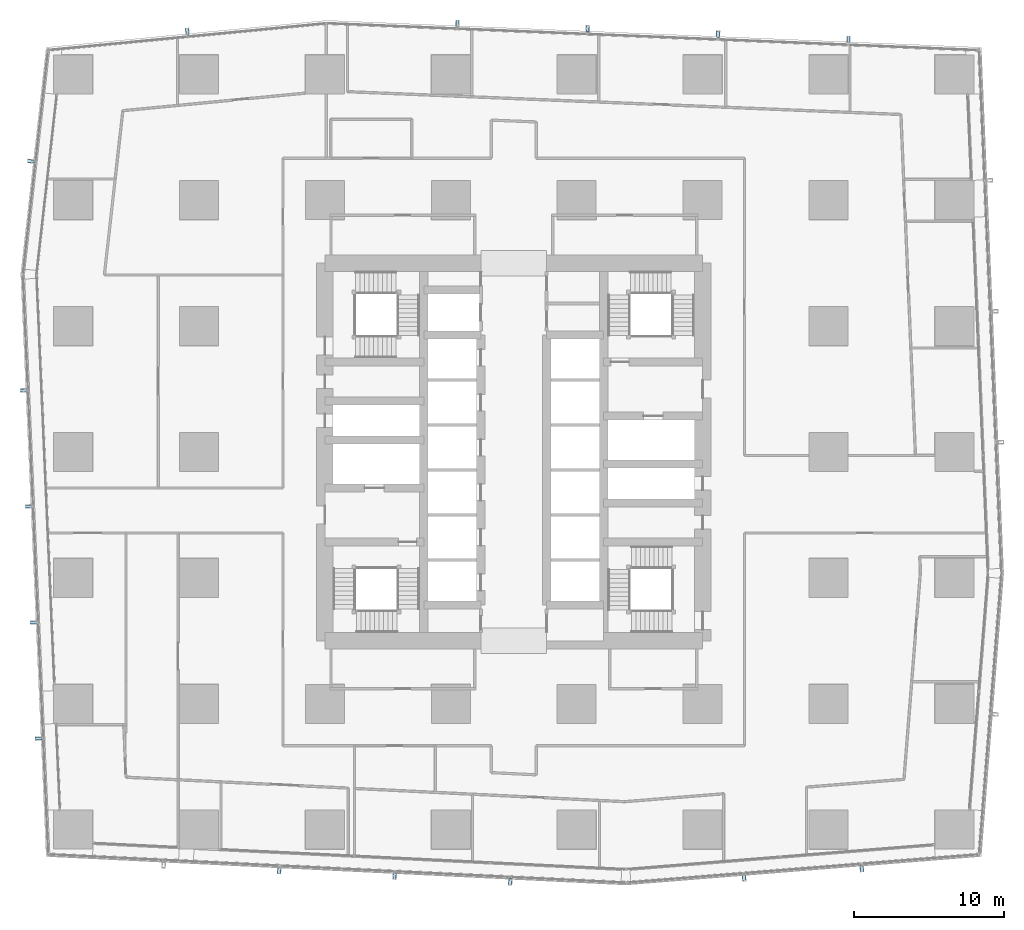
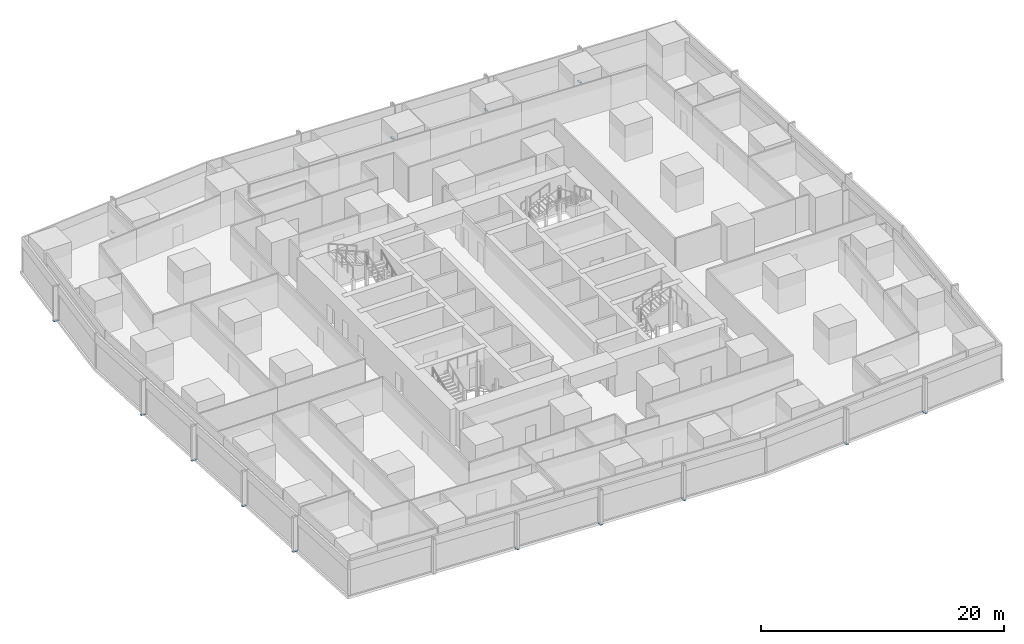
# One storey, part 32 of 46: 15 plates.
"""IFC4 building model written with IfcOpenShell, lengths in metres."""

import ifcopenshell
import ifcopenshell.guid

model = None  # the IFC model being written
_history = None  # IfcOwnerHistory: only IFC2X3 demands one
_inside = {}  # id of a spatial element -> (the spatial element, [elements in it])
_under = {}  # id of a project, library or spatial element -> (it, [spatial elements below it])
_declared = {}  # id of a project -> (the project, [libraries it declares])
_typed = {}  # id of a type object -> (the type object, [elements of that type])
_made_of = {}  # id of a material, layer set ... -> (it, [elements and type objects made of it])


def new_model(schema):
    """Start an empty IFC model of exactly this schema.

    Asked for "IFC4X3", IfcOpenShell would pick the latest addendum, in which some entities
    have other attributes; the version numbers below select the first issue.
    IFC2X3 requires an IfcOwnerHistory on every rooted entity: one is made here for all.
    """
    global model, _history
    if schema == "IFC4X3":
        model = ifcopenshell.file(schema_version=(4, 3, 0, 0))
    else:
        model = ifcopenshell.file(schema=schema)
    _inside.clear()
    _under.clear()
    _declared.clear()
    _typed.clear()
    _made_of.clear()
    _history = None
    if model.schema == "IFC2X3":
        org = make("IfcOrganization", Name="unknown")
        user = make(
            "IfcPersonAndOrganization",
            ThePerson=make("IfcPerson", FamilyName="unknown"),
            TheOrganization=org,
        )
        app = make(
            "IfcApplication",
            ApplicationDeveloper=org,
            Version="unknown",
            ApplicationFullName="unknown",
            ApplicationIdentifier="unknown",
        )
        _history = make(
            "IfcOwnerHistory",
            OwningUser=user,
            OwningApplication=app,
            ChangeAction="ADDED",
            CreationDate=0,
        )
    return model


def make(cls, **values):
    """One entity of the class cls with the attributes given. An attribute that is None is left unset."""
    return model.create_entity(
        cls, **{name: value for name, value in values.items() if value is not None}
    )


def rooted(cls, **values):
    """An entity with a GlobalId (a new one), such as an element, a storey or a relation."""
    return make(cls, GlobalId=ifcopenshell.guid.new(), OwnerHistory=_history, **values)


def si_unit(unit_type, name, prefix=None):
    """IfcSIUnit, for example si_unit("LENGTHUNIT", "METRE", prefix="MILLI")."""
    return make("IfcSIUnit", UnitType=unit_type, Prefix=prefix, Name=name)


def assignment(units):
    """IfcUnitAssignment: the units of a project."""
    return None if units is None else make("IfcUnitAssignment", Units=units)


def point(xyz):
    """IfcCartesianPoint."""
    return None if xyz is None else make("IfcCartesianPoint", Coordinates=xyz)


def direction(xyz):
    """IfcDirection."""
    return None if xyz is None else make("IfcDirection", DirectionRatios=xyz)


def frame(location, z_axis=None, x_axis=None):
    """IfcAxis2Placement3D, a coordinate frame: its origin and axes. An axis left out is left unset."""
    return make(
        "IfcAxis2Placement3D",
        Location=point(location),
        Axis=direction(z_axis),
        RefDirection=direction(x_axis),
    )


def frame_2d(location, x_axis=None):
    """IfcAxis2Placement2D, a coordinate frame in the plane: its origin and x axis."""
    return make(
        "IfcAxis2Placement2D", Location=point(location), RefDirection=direction(x_axis)
    )


def origin():
    """The frame at (0, 0, 0) with its axes left unset."""
    return frame((0.0, 0.0, 0.0))


def origin_2d():
    """The frame at (0, 0) in the plane with its x axis left unset."""
    return frame_2d((0.0, 0.0))


def place(relative_to, where):
    """IfcLocalPlacement: puts the frame where relative to a parent placement (None: the world)."""
    return make(
        "IfcLocalPlacement", PlacementRelTo=relative_to, RelativePlacement=where
    )


def context(
    kind, dimensions, precision=None, world=None, true_north=None, identifier=None
):
    """IfcGeometricRepresentationContext, for example the 3D "Model" context."""
    return make(
        "IfcGeometricRepresentationContext",
        ContextIdentifier=identifier,
        ContextType=kind,
        CoordinateSpaceDimension=dimensions,
        Precision=precision,
        WorldCoordinateSystem=world,
        TrueNorth=true_north,
    )


def subcontext(parent, identifier, kind, view, scale=None):
    """IfcGeometricRepresentationSubContext, for example "Body" below "Model"."""
    return make(
        "IfcGeometricRepresentationSubContext",
        ContextIdentifier=identifier,
        ContextType=kind,
        ParentContext=parent,
        TargetScale=scale,
        TargetView=view,
    )


def project(units=None, contexts=None):
    """IfcProject with its units and contexts."""
    return rooted(
        "IfcProject",
        Name="project",
        RepresentationContexts=contexts,
        UnitsInContext=assignment(units),
    )


def spatial(cls, under=None, at=None, **own):
    """A site, building, storey or space (cls), placed at a placement, below another one or the project."""
    s = rooted(cls, ObjectPlacement=at, **own)
    if under is not None:
        _under.setdefault(under.id(), (under, []))[1].append(s)
    return s


def profile(cls, at=None, kind="AREA", **sizes):
    """A parametric profile (cls). Its sizes go by their IFC names, for example OverallWidth=200.0."""
    return make(cls, ProfileType=kind, Position=at, **sizes)


def rectangle(**sizes):
    """IfcRectangleProfileDef."""
    return profile("IfcRectangleProfileDef", **sizes)


def extrude(swept, where, along, depth):
    """IfcExtrudedAreaSolid: the profile swept, set in the frame where, extruded along a direction by depth."""
    return make(
        "IfcExtrudedAreaSolid",
        SweptArea=swept,
        Position=where,
        ExtrudedDirection=direction(along),
        Depth=depth,
    )


def shape(context_of_items, identifier, shape_type, items):
    """IfcShapeRepresentation: the items that make up one representation, for example the "Body"."""
    return make(
        "IfcShapeRepresentation",
        ContextOfItems=context_of_items,
        RepresentationIdentifier=identifier,
        RepresentationType=shape_type,
        Items=items,
    )


def material(Name=None, Category=None):
    """IfcMaterial."""
    return make("IfcMaterial", Name=Name, Category=Category)


def layer(
    of_material, thickness, ventilated=None, Name=None, Category=None, Priority=None
):
    """IfcMaterialLayer: one layer of a wall or slab, of a material (None: an air gap)."""
    return make(
        "IfcMaterialLayer",
        Material=of_material,
        LayerThickness=thickness,
        IsVentilated=ventilated,
        Name=Name,
        Category=Category,
        Priority=Priority,
    )


def layer_set(layers, Name=None):
    """IfcMaterialLayerSet."""
    return make("IfcMaterialLayerSet", MaterialLayers=layers, LayerSetName=Name)


def made_of(thing, what):
    """Note that an element or type object is made of a material, layer set ...; save() writes the relation."""
    if what is not None:
        _made_of.setdefault(what.id(), (what, []))[1].append(thing)
    return thing


def type_object(cls, material=None, **own):
    """A type object (cls), such as IfcWallType, which elements share."""
    return made_of(rooted(cls, **own), material)


def element(
    cls,
    number,
    at=None,
    inside=None,
    cuts=None,
    type_object=None,
    material=None,
    context=None,
    identifier="Body",
    shape_type=None,
    held_by="IfcProductDefinitionShape",
    body=None,
    shapes=None,
    **own,
):
    """One element of the class cls, such as IfcWall. Its Tag is "e" and its number.

    at: its placement. inside: the storey or other place that contains it. cuts: it is an
    opening in that element (IfcRelVoidsElement). A single representation is given by context,
    identifier, shape_type and body (its items); several are given by shapes. held_by: the class
    of the entity that holds the representations. save() writes the other relations.
    """
    e = rooted(cls, Tag="e%d" % number, ObjectPlacement=at, **own)
    if body is not None:
        shapes = [shape(context, identifier, shape_type, body)]
    if shapes is not None:
        e.Representation = make(held_by, Representations=shapes)
    if inside is not None:
        _inside.setdefault(inside.id(), (inside, []))[1].append(e)
    if cuts is not None:
        rooted(
            "IfcRelVoidsElement", RelatingBuildingElement=cuts, RelatedOpeningElement=e
        )
    if type_object is not None:
        _typed.setdefault(type_object.id(), (type_object, []))[1].append(e)
    return made_of(e, material)


def aggregate(whole, parts):
    """IfcRelAggregates: a whole, such as a stair, and the parts it consists of."""
    return rooted("IfcRelAggregates", RelatingObject=whole, RelatedObjects=parts)


def save(model, path):
    """Write the relations noted so far, then the file.

    IfcRelAggregates (storeys below a building ...), IfcRelContainedInSpatialStructure (elements
    in a storey), IfcRelDefinesByType, IfcRelAssociatesMaterial and IfcRelDeclares: one each for
    every whole, place, type object, material and project.
    """
    for whole, parts in _under.values():
        aggregate(whole, parts)
    for where, things in _inside.values():
        rooted(
            "IfcRelContainedInSpatialStructure",
            RelatedElements=things,
            RelatingStructure=where,
        )
    for kind, things in _typed.values():
        rooted("IfcRelDefinesByType", RelatedObjects=things, RelatingType=kind)
    for what, things in _made_of.values():
        rooted("IfcRelAssociatesMaterial", RelatedObjects=things, RelatingMaterial=what)
    for by, libraries in _declared.values():
        rooted("IfcRelDeclares", RelatingContext=by, RelatedDefinitions=libraries)
    model.write(path)


model = new_model("IFC4")

# Units and contexts
model_context = context("Model", 3, precision=1e-05, world=origin(), true_north=direction((0.0, 1.0)))
body_context = subcontext(model_context, "Body", "Model", "MODEL_VIEW")
ifc_project = project(units=[si_unit("LENGTHUNIT", "METRE"), si_unit("AREAUNIT", "SQUARE_METRE"), si_unit("VOLUMEUNIT", "CUBIC_METRE"), si_unit("PLANEANGLEUNIT", "RADIAN"), si_unit("MASSUNIT", "GRAM", prefix="KILO")], contexts=[model_context])

# Site, building, storey
site_placement = place(None, origin())
site = spatial("IfcSite", under=ifc_project, at=site_placement, CompositionType="ELEMENT")
building_placement = place(site_placement, origin())
building = spatial("IfcBuilding", under=site, at=building_placement, Name="Rekha Terrace Tower", CompositionType="ELEMENT")
storey_placement = place(building_placement, frame((0.0, 0.0, 29.14990234375)))
storey = spatial("IfcBuildingStorey", under=building, at=storey_placement, Name="L06", CompositionType="ELEMENT", Elevation=29.14990234375)

# Plates
ifc_material = material(Name="Steel S355 fixing plate bolted to the slab", Category="steel")
ifc_layer = layer(ifc_material, 0.02001953125)
ifc_layer_set = layer_set([ifc_layer], Name="Steel S355 fixing plate bolted to the slab")
plate_type = type_object("IfcPlateType", Name="BL2 blade bracket plate 200 x 20", PredefinedType="USERDEFINED", material=ifc_layer_set)
for number, where, z_axis, x_axis, name in (
    (1, (22.150634765625, 5.676025390625, 0.0), (0.0, 0.0, 1.0), (-0.049051985279, -0.998796226835, 0.0), "Blade bracket"),
    (2, (29.85693359375, 5.297607421875, 0.0), (0.0, 0.0, 1.0), (-0.049051985279, -0.998796226835, 0.0), "Blade bracket"),
    (3, (37.5634765625, 4.919189453125, 0.0), (0.0, 0.0, 1.0), (-0.049051985279, -0.998796226835, 0.0), "Blade bracket"),
    (4, (53.166259765625, 5.1708984375, 0.0), (0.0, 0.0, 1.0), (0.079871855039, -0.996805139821, 0.0), "Blade bracket"),
    (5, (61.021484375, 5.80029296875, 0.0), (0.0, 0.0, 1.0), (0.079871855039, -0.996805139821, 0.0), "Blade bracket"),
    (6, (60.126220703125, 61.125732421875, 0.0), (0.0, 0.0, 1.0), (0.041174636562, 0.99915196507, 0.0), "Blade bracket"),
    (7, (51.4296875, 61.484130859375, 0.0), (0.0, 0.0, 1.0), (0.041174636562, 0.99915196507, 0.0), "Blade bracket"),
    (8, (42.7333984375, 61.842529296875, 0.0), (0.0, 0.0, 1.0), (0.041174636562, 0.99915196507, 0.0), "Blade bracket"),
    (9, (34.036865234375, 62.200927734375, 0.0), (0.0, 0.0, 1.0), (0.041174636562, 0.99915196507, 0.0), "Blade bracket"),
    (10, (16.0185546875, 61.66650390625, 0.0), (0.0, 0.0, 1.0), (-0.095711980009, 0.995409070123, 0.0), "Blade bracket"),
    (11, (5.58447265625, 52.99951171875, 0.0), (0.0, 0.0, 1.0), (-0.993738702607, 0.111729096216, 0.0), "Blade bracket"),
    (12, (5.079345703125, 37.71630859375, 0.0), (0.0, 0.0, 1.0), (-0.999045478923, -0.04368215933, 0.0), "Blade bracket"),
    (13, (5.41796875, 29.9716796875, 0.0), (0.0, 0.0, 1.0), (-0.999045478923, -0.04368215933, 0.0), "Blade bracket"),
    (14, (5.756591796875, 22.227294921875, 0.0), (0.0, 0.0, 1.0), (-0.999045478923, -0.04368215933, 0.0), "Blade bracket"),
    (15, (6.09521484375, 14.483154296875, 0.0), (0.0, 0.0, 1.0), (-0.999045478923, -0.04368215933, 0.0), "Blade bracket"),
):
    element("IfcPlate", number, at=place(storey_placement, frame(where, z_axis=z_axis, x_axis=x_axis)), inside=storey, type_object=plate_type, Name=name, ObjectType="BLADE BRACKET", PredefinedType="USERDEFINED", context=body_context, shape_type="SweptSolid", body=[
        extrude(rectangle(XDim=0.429931640625, YDim=0.199951171875, at=origin_2d()), origin(), (0.0, 0.0, 1.0), 0.02001953125),
    ])

save(model, "model.ifc")
